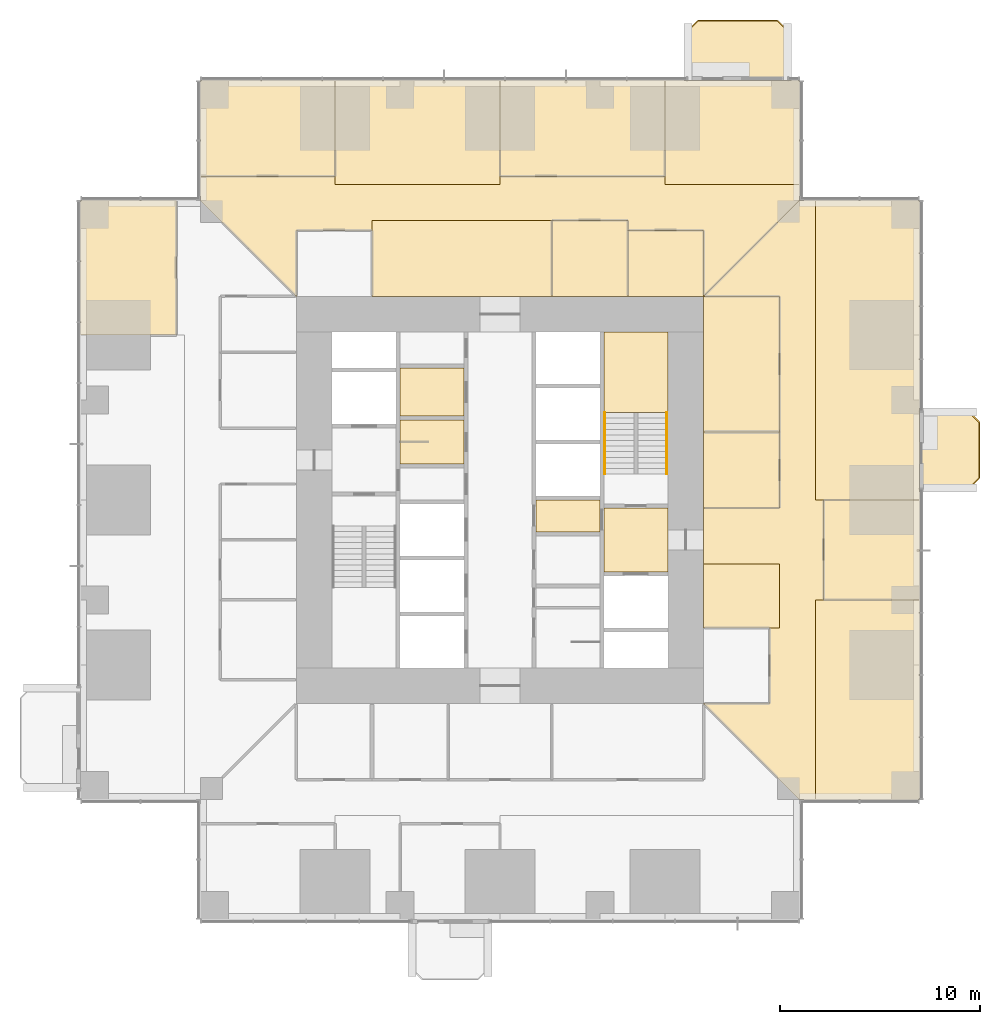
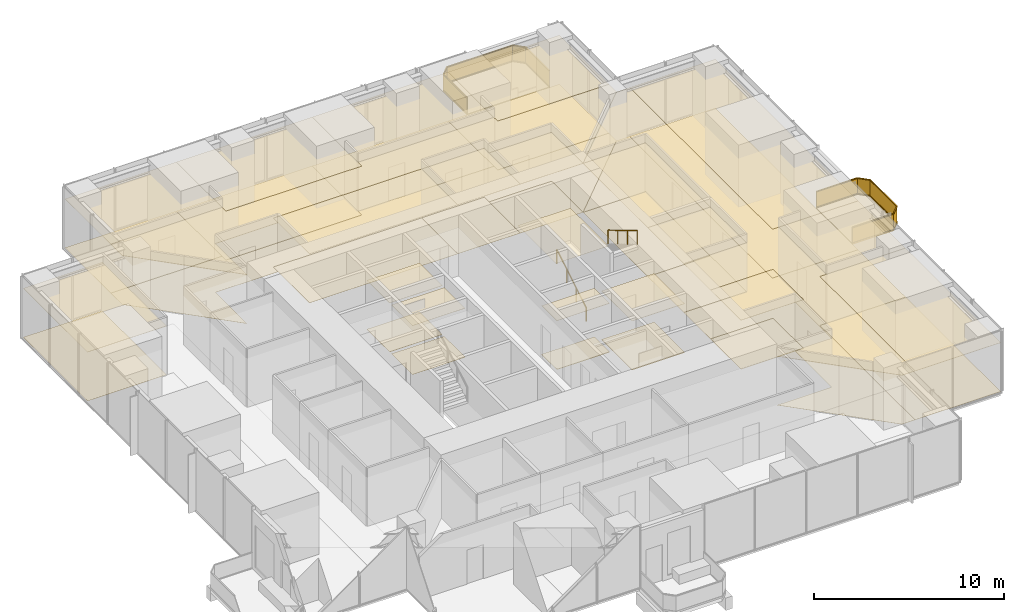
# One storey, part 16 of 17: 43 coverings, 4 railings.
"""IFC4 building model written with IfcOpenShell, lengths in metres."""

from ifc_helpers import new_model, si_unit, direction, frame, origin, origin_2d, place, context, subcontext, project, spatial, polyline, rectangle, circle, outline, extrude, material, layer, layer_set, type_object, element, save


model = new_model("IFC4")

# Units and contexts
model_context = context("Model", 3, precision=1e-05, world=origin(), true_north=direction((0.0, 1.0)))
body_context = subcontext(model_context, "Body", "Model", "MODEL_VIEW")
ifc_project = project(units=[si_unit("LENGTHUNIT", "METRE"), si_unit("AREAUNIT", "SQUARE_METRE"), si_unit("VOLUMEUNIT", "CUBIC_METRE"), si_unit("PLANEANGLEUNIT", "RADIAN"), si_unit("MASSUNIT", "GRAM", prefix="KILO")], contexts=[model_context])

# Site, building, storey
site_placement = place(None, origin())
site = spatial("IfcSite", under=ifc_project, at=site_placement, CompositionType="ELEMENT")
building_placement = place(site_placement, origin())
building = spatial("IfcBuilding", under=site, at=building_placement, Name="Svetlomir Tower", CompositionType="ELEMENT")
storey_placement = place(building_placement, frame((0.0, 0.0, 70.5)))
storey = spatial("IfcBuildingStorey", under=building, at=storey_placement, Name="L16", CompositionType="ELEMENT", Elevation=70.5)

# Railings
ifc_material_1 = material(Name="Bronze anodised aluminium and laminated glass", Category="aluminium")
railing_type_1 = type_object("IfcRailingType", Name="BALCONY GUARD GR1 1100", PredefinedType="GUARDRAIL", material=ifc_material_1)
railing_1_placement = place(storey_placement, frame((42.0, 21.60009765625, 0.0)))
element("IfcRailing", 1, at=railing_1_placement, inside=storey, type_object=railing_type_1, Name="Balcony guard E L16", PredefinedType="GUARDRAIL", context=body_context, shape_type="SweptSolid", body=[
    extrude(rectangle(XDim=0.06005859375, YDim=0.10009765625, at=origin_2d()), frame((0.0, 0.0, 0.050048828125), z_axis=(1.0, 0.0, 0.0), x_axis=(0.0, 1.0, 0.0)), (0.0, 0.0, 1.0), 2.5),
    extrude(rectangle(XDim=0.021484375, YDim=0.960205078125, at=origin_2d()), frame((0.0, 0.0, 0.580078125), z_axis=(1.0, 0.0, 0.0), x_axis=(0.0, 1.0, 0.0)), (0.0, 0.0, 1.0), 2.5),
    extrude(rectangle(XDim=0.06005859375, YDim=0.0400390625, at=origin_2d()), frame((0.0, 0.0, 1.080078125), z_axis=(1.0, 0.0, 0.0), x_axis=(0.0, 1.0, 0.0)), (0.0, 0.0, 1.0), 2.5),
    extrude(rectangle(XDim=0.06005859375, YDim=0.10009765625, at=origin_2d()), frame((2.5, 0.0, 0.050048828125), z_axis=(0.707106781187, 0.707106781187, 0.0), x_axis=(-0.707106781187, 0.707106781187, 0.0)), (0.0, 0.0, 1.0), 0.70703125),
    extrude(rectangle(XDim=0.021484375, YDim=0.960205078125, at=origin_2d()), frame((2.5, 0.0, 0.580078125), z_axis=(0.707106781187, 0.707106781187, 0.0), x_axis=(-0.707106781187, 0.707106781187, 0.0)), (0.0, 0.0, 1.0), 0.70703125),
    extrude(rectangle(XDim=0.06005859375, YDim=0.0400390625, at=origin_2d()), frame((2.5, 0.0, 1.080078125), z_axis=(0.707106781187, 0.707106781187, 0.0), x_axis=(-0.707106781187, 0.707106781187, 0.0)), (0.0, 0.0, 1.0), 0.70703125),
    extrude(rectangle(XDim=0.06005859375, YDim=0.10009765625, at=origin_2d()), frame((3.0, 0.5, 0.050048828125), z_axis=(0.0, 1.0, 0.0), x_axis=(-1.0, 0.0, 0.0)), (0.0, 0.0, 1.0), 2.7998046875),
    extrude(rectangle(XDim=0.021484375, YDim=0.960205078125, at=origin_2d()), frame((3.0, 0.5, 0.580078125), z_axis=(0.0, 1.0, 0.0), x_axis=(-1.0, 0.0, 0.0)), (0.0, 0.0, 1.0), 2.7998046875),
    extrude(rectangle(XDim=0.06005859375, YDim=0.0400390625, at=origin_2d()), frame((3.0, 0.5, 1.080078125), z_axis=(0.0, 1.0, 0.0), x_axis=(-1.0, 0.0, 0.0)), (0.0, 0.0, 1.0), 2.7998046875),
    extrude(rectangle(XDim=0.06005859375, YDim=0.10009765625, at=origin_2d()), frame((3.0, 3.2998046875, 0.050048828125), z_axis=(-0.707106781187, 0.707106781187, 0.0), x_axis=(-0.707106781187, -0.707106781187, 0.0)), (0.0, 0.0, 1.0), 0.70703125),
    extrude(rectangle(XDim=0.021484375, YDim=0.960205078125, at=origin_2d()), frame((3.0, 3.2998046875, 0.580078125), z_axis=(-0.707106781187, 0.707106781187, 0.0), x_axis=(-0.707106781187, -0.707106781187, 0.0)), (0.0, 0.0, 1.0), 0.70703125),
    extrude(rectangle(XDim=0.06005859375, YDim=0.0400390625, at=origin_2d()), frame((3.0, 3.2998046875, 1.080078125), z_axis=(-0.707106781187, 0.707106781187, 0.0), x_axis=(-0.707106781187, -0.707106781187, 0.0)), (0.0, 0.0, 1.0), 0.70703125),
    extrude(rectangle(XDim=0.06005859375, YDim=0.10009765625, at=origin_2d()), frame((2.5, 3.7998046875, 0.050048828125), z_axis=(-1.0, 0.0, 0.0), x_axis=(0.0, -1.0, 0.0)), (0.0, 0.0, 1.0), 2.5),
    extrude(rectangle(XDim=0.021484375, YDim=0.960205078125, at=origin_2d()), frame((2.5, 3.7998046875, 0.580078125), z_axis=(-1.0, 0.0, 0.0), x_axis=(0.0, -1.0, 0.0)), (0.0, 0.0, 1.0), 2.5),
    extrude(rectangle(XDim=0.06005859375, YDim=0.0400390625, at=origin_2d()), frame((2.5, 3.7998046875, 1.080078125), z_axis=(-1.0, 0.0, 0.0), x_axis=(0.0, -1.0, 0.0)), (0.0, 0.0, 1.0), 2.5),
])
railing_2_placement = place(storey_placement, frame((35.39990234375, 42.0, 0.0)))
element("IfcRailing", 2, at=railing_2_placement, inside=storey, type_object=railing_type_1, Name="Balcony guard N L16", PredefinedType="GUARDRAIL", context=body_context, shape_type="SweptSolid", body=[
    extrude(rectangle(XDim=0.06005859375, YDim=0.10009765625, at=origin_2d()), frame((0.0, 0.0, 0.050048828125), z_axis=(0.0, 1.0, 0.0), x_axis=(-1.0, 0.0, 0.0)), (0.0, 0.0, 1.0), 2.5),
    extrude(rectangle(XDim=0.021484375, YDim=0.960205078125, at=origin_2d()), frame((0.0, 0.0, 0.580078125), z_axis=(0.0, 1.0, 0.0), x_axis=(-1.0, 0.0, 0.0)), (0.0, 0.0, 1.0), 2.5),
    extrude(rectangle(XDim=0.06005859375, YDim=0.0400390625, at=origin_2d()), frame((0.0, 0.0, 1.080078125), z_axis=(0.0, 1.0, 0.0), x_axis=(-1.0, 0.0, 0.0)), (0.0, 0.0, 1.0), 2.5),
    extrude(rectangle(XDim=0.06005859375, YDim=0.10009765625, at=origin_2d()), frame((0.0, 2.5, 0.050048828125), z_axis=(-0.707106781187, 0.707106781187, 0.0), x_axis=(-0.707106781187, -0.707106781187, 0.0)), (0.0, 0.0, 1.0), 0.70703125),
    extrude(rectangle(XDim=0.021484375, YDim=0.960205078125, at=origin_2d()), frame((0.0, 2.5, 0.580078125), z_axis=(-0.707106781187, 0.707106781187, 0.0), x_axis=(-0.707106781187, -0.707106781187, 0.0)), (0.0, 0.0, 1.0), 0.70703125),
    extrude(rectangle(XDim=0.06005859375, YDim=0.0400390625, at=origin_2d()), frame((0.0, 2.5, 1.080078125), z_axis=(-0.707106781187, 0.707106781187, 0.0), x_axis=(-0.707106781187, -0.707106781187, 0.0)), (0.0, 0.0, 1.0), 0.70703125),
    extrude(rectangle(XDim=0.06005859375, YDim=0.10009765625, at=origin_2d()), frame((-0.5, 3.0, 0.050048828125), z_axis=(-1.0, 0.0, 0.0), x_axis=(0.0, -1.0, 0.0)), (0.0, 0.0, 1.0), 4.0),
    extrude(rectangle(XDim=0.021484375, YDim=0.960205078125, at=origin_2d()), frame((-0.5, 3.0, 0.580078125), z_axis=(-1.0, 0.0, 0.0), x_axis=(0.0, -1.0, 0.0)), (0.0, 0.0, 1.0), 4.0),
    extrude(rectangle(XDim=0.06005859375, YDim=0.0400390625, at=origin_2d()), frame((-0.5, 3.0, 1.080078125), z_axis=(-1.0, 0.0, 0.0), x_axis=(0.0, -1.0, 0.0)), (0.0, 0.0, 1.0), 4.0),
    extrude(rectangle(XDim=0.06005859375, YDim=0.10009765625, at=origin_2d()), frame((-4.5, 3.0, 0.050048828125), z_axis=(-0.707106781187, -0.707106781187, 0.0), x_axis=(0.707106781187, -0.707106781187, 0.0)), (0.0, 0.0, 1.0), 0.70703125),
    extrude(rectangle(XDim=0.021484375, YDim=0.960205078125, at=origin_2d()), frame((-4.5, 3.0, 0.580078125), z_axis=(-0.707106781187, -0.707106781187, 0.0), x_axis=(0.707106781187, -0.707106781187, 0.0)), (0.0, 0.0, 1.0), 0.70703125),
    extrude(rectangle(XDim=0.06005859375, YDim=0.0400390625, at=origin_2d()), frame((-4.5, 3.0, 1.080078125), z_axis=(-0.707106781187, -0.707106781187, 0.0), x_axis=(0.707106781187, -0.707106781187, 0.0)), (0.0, 0.0, 1.0), 0.70703125),
    extrude(rectangle(XDim=0.06005859375, YDim=0.10009765625, at=origin_2d()), frame((-5.0, 2.5, 0.050048828125), z_axis=(0.0, -1.0, 0.0), x_axis=(1.0, 0.0, 0.0)), (0.0, 0.0, 1.0), 2.5),
    extrude(rectangle(XDim=0.021484375, YDim=0.960205078125, at=origin_2d()), frame((-5.0, 2.5, 0.580078125), z_axis=(0.0, -1.0, 0.0), x_axis=(1.0, 0.0, 0.0)), (0.0, 0.0, 1.0), 2.5),
    extrude(rectangle(XDim=0.06005859375, YDim=0.0400390625, at=origin_2d()), frame((-5.0, 2.5, 1.080078125), z_axis=(0.0, -1.0, 0.0), x_axis=(1.0, 0.0, 0.0)), (0.0, 0.0, 1.0), 2.5),
])

# Coverings
ifc_material_2 = material(Name="Granite paving slabs on pedestals", Category="masonry")
ifc_layer_1 = layer(ifc_material_2, 0.0400390625)
ifc_layer_set_1 = layer_set([ifc_layer_1], Name="Granite paving slabs on pedestals")
covering_type_1 = type_object("IfcCoveringType", Name="BALCONY PAVING 40", PredefinedType="USERDEFINED", material=ifc_layer_set_1)
covering_1_placement = place(storey_placement, origin())
element("IfcCovering", 3, at=covering_1_placement, inside=storey, type_object=covering_type_1, Name="Balcony paving E L16", ObjectType="BALCONY PAVING", PredefinedType="USERDEFINED", context=body_context, shape_type="SweptSolid", body=[
    extrude(outline(polyline([(42.0, 21.60009765625), (44.5, 21.60009765625), (45.0, 22.10009765625), (45.0, 24.89990234375), (44.5, 25.39990234375), (42.0, 25.39990234375), (42.0, 21.60009765625)])), origin(), (0.0, 0.0, 1.0), 0.0400390625),
])
covering_2_placement = place(storey_placement, origin())
element("IfcCovering", 4, at=covering_2_placement, inside=storey, type_object=covering_type_1, Name="Balcony paving N L16", ObjectType="BALCONY PAVING", PredefinedType="USERDEFINED", context=body_context, shape_type="SweptSolid", body=[
    extrude(outline(polyline([(30.39990234375, 42.0), (35.39990234375, 42.0), (35.39990234375, 44.5), (34.89990234375, 45.0), (30.89990234375, 45.0), (30.39990234375, 44.5), (30.39990234375, 42.0)])), origin(), (0.0, 0.0, 1.0), 0.0400390625),
])
ifc_material_3 = material(Name="Carpet tile", Category="textile")
ifc_layer_2 = layer(ifc_material_3, 0.010009765625)
ifc_layer_set_2 = layer_set([ifc_layer_2], Name="Carpet tile")
covering_type_2 = type_object("IfcCoveringType", Name="CARPET TILE FLOOR 10", PredefinedType="FLOORING", material=ifc_layer_set_2)
covering_3_placement = place(storey_placement, origin())
element("IfcCovering", 5, at=covering_3_placement, inside=storey, type_object=covering_type_2, Name="Floor finish L16-20", PredefinedType="FLOORING", context=body_context, shape_type="SweptSolid", body=[
    extrude(outline(polyline([(31.199951171875, 20.60009765625), (35.0, 20.60009765625), (35.0, 24.39990234375), (31.199951171875, 24.39990234375), (31.199951171875, 20.60009765625)])), origin(), (0.0, 0.0, 1.0), 0.010009765625),
])
covering_4_placement = place(storey_placement, origin())
element("IfcCovering", 6, at=covering_4_placement, inside=storey, type_object=covering_type_2, Name="Floor finish L16-21", PredefinedType="FLOORING", context=body_context, shape_type="SweptSolid", body=[
    extrude(outline(polyline([(31.199951171875, 24.39990234375), (35.0, 24.39990234375), (35.0, 31.199951171875), (31.199951171875, 31.199951171875), (31.199951171875, 24.39990234375)])), origin(), (0.0, 0.0, 1.0), 0.010009765625),
])
covering_5_placement = place(storey_placement, origin())
element("IfcCovering", 7, at=covering_5_placement, inside=storey, type_object=covering_type_2, Name="Floor finish L16-22", PredefinedType="FLOORING", context=body_context, shape_type="SweptSolid", body=[
    extrude(outline(polyline([(37.199951171875, 16.0), (42.0, 16.0), (42.0, 21.0), (37.199951171875, 21.0), (37.199951171875, 16.0)])), origin(), (0.0, 0.0, 1.0), 0.010009765625),
])
covering_6_placement = place(storey_placement, origin())
element("IfcCovering", 8, at=covering_6_placement, inside=storey, type_object=covering_type_2, Name="Floor finish L16-24", PredefinedType="FLOORING", context=body_context, shape_type="SweptSolid", body=[
    extrude(outline(polyline([(23.60009765625, 31.199951171875), (27.39990234375, 31.199951171875), (27.39990234375, 35.0), (23.60009765625, 35.0), (23.60009765625, 31.199951171875)])), origin(), (0.0, 0.0, 1.0), 0.010009765625),
])
covering_7_placement = place(storey_placement, origin())
element("IfcCovering", 9, at=covering_7_placement, inside=storey, type_object=covering_type_2, Name="Floor finish L16-25", PredefinedType="FLOORING", context=body_context, shape_type="SweptSolid", body=[
    extrude(outline(polyline([(27.39990234375, 31.199951171875), (31.199951171875, 31.199951171875), (31.199951171875, 34.5), (27.39990234375, 34.5), (27.39990234375, 31.199951171875)])), origin(), (0.0, 0.0, 1.0), 0.010009765625),
])
covering_8_placement = place(storey_placement, origin())
element("IfcCovering", 10, at=covering_8_placement, inside=storey, type_object=covering_type_2, Name="Floor finish L16-26", PredefinedType="FLOORING", context=body_context, shape_type="SweptSolid", body=[
    extrude(outline(polyline([(6.0, 37.199951171875), (12.75, 37.199951171875), (12.75, 42.0), (6.0, 42.0), (6.0, 37.199951171875)])), origin(), (0.0, 0.0, 1.0), 0.010009765625),
])
covering_9_placement = place(storey_placement, origin())
element("IfcCovering", 11, at=covering_9_placement, inside=storey, type_object=covering_type_2, Name="Floor finish L16-27", PredefinedType="FLOORING", context=body_context, shape_type="SweptSolid", body=[
    extrude(outline(polyline([(21.0, 37.199951171875), (29.25, 37.199951171875), (29.25, 42.0), (21.0, 42.0), (21.0, 37.199951171875)])), origin(), (0.0, 0.0, 1.0), 0.010009765625),
])
covering_10_placement = place(storey_placement, origin())
element("IfcCovering", 12, at=covering_10_placement, inside=storey, type_object=covering_type_2, Name="Floor finish L16-31", PredefinedType="FLOORING", context=body_context, shape_type="SweptSolid", body=[
    extrude(outline(polyline([(0.0, 29.25), (4.800048828125, 29.25), (4.800048828125, 36.0), (0.0, 36.0), (0.0, 29.25)])), origin(), (0.0, 0.0, 1.0), 0.010009765625),
])
covering_11_placement = place(storey_placement, origin())
element("IfcCovering", 13, at=covering_11_placement, inside=storey, type_object=covering_type_2, Name="Floor finish L16-33", PredefinedType="FLOORING", context=body_context, shape_type="SweptSolid", body=[
    extrude(outline(polyline([(31.199951171875, 20.60009765625), (35.0, 20.60009765625), (35.0, 31.199951171875), (31.199951171875, 31.199951171875), (36.0, 36.0), (36.800048828125, 36.0), (36.800048828125, 21.0), (37.199951171875, 21.0), (37.199951171875, 16.0), (36.800048828125, 16.0), (36.800048828125, 6.0), (36.0, 6.0), (31.199951171875, 10.800048828125), (34.5, 10.800048828125), (34.5, 14.60009765625), (35.0, 14.60009765625), (35.0, 17.800048828125), (31.199951171875, 17.800048828125), (31.199951171875, 20.60009765625)])), origin(), (0.0, 0.0, 1.0), 0.010009765625),
])
covering_12_placement = place(storey_placement, origin())
element("IfcCovering", 14, at=covering_12_placement, inside=storey, type_object=covering_type_2, Name="Floor finish L16-34", PredefinedType="FLOORING", context=body_context, shape_type="SweptSolid", body=[
    extrude(outline(polyline([(6.0, 37.199951171875), (12.75, 37.199951171875), (12.75, 36.800048828125), (21.0, 36.800048828125), (21.0, 37.199951171875), (29.25, 37.199951171875), (29.25, 36.800048828125), (36.0, 36.800048828125), (36.0, 36.0), (31.199951171875, 31.199951171875), (31.199951171875, 34.5), (27.39990234375, 34.5), (27.39990234375, 35.0), (14.60009765625, 35.0), (14.60009765625, 34.5), (10.800048828125, 34.5), (10.800048828125, 31.199951171875), (6.0, 36.0), (6.0, 37.199951171875)])), origin(), (0.0, 0.0, 1.0), 0.010009765625),
])
covering_13_placement = place(storey_placement, origin())
element("IfcCovering", 15, at=covering_13_placement, inside=storey, type_object=covering_type_2, Name="Floor finish L16-39", PredefinedType="FLOORING", context=body_context, shape_type="SweptSolid", body=[
    extrude(outline(polyline([(42.0, 21.0), (36.800048828125, 21.0), (36.800048828125, 36.0), (42.0, 36.0), (42.0, 21.0)])), origin(), (0.0, 0.0, 1.0), 0.010009765625),
])
covering_14_placement = place(storey_placement, origin())
element("IfcCovering", 16, at=covering_14_placement, inside=storey, type_object=covering_type_2, Name="Floor finish L16-40", PredefinedType="FLOORING", context=body_context, shape_type="SweptSolid", body=[
    extrude(outline(polyline([(42.0, 6.0), (36.800048828125, 6.0), (36.800048828125, 16.0), (42.0, 16.0), (42.0, 6.0)])), origin(), (0.0, 0.0, 1.0), 0.010009765625),
])
covering_15_placement = place(storey_placement, origin())
element("IfcCovering", 17, at=covering_15_placement, inside=storey, type_object=covering_type_2, Name="Floor finish L16-41", PredefinedType="FLOORING", context=body_context, shape_type="SweptSolid", body=[
    extrude(outline(polyline([(31.199951171875, 14.60009765625), (31.199951171875, 17.800048828125), (35.0, 17.800048828125), (35.0, 14.60009765625), (31.199951171875, 14.60009765625)])), origin(), (0.0, 0.0, 1.0), 0.010009765625),
])
covering_16_placement = place(storey_placement, origin())
element("IfcCovering", 18, at=covering_16_placement, inside=storey, type_object=covering_type_2, Name="Floor finish L16-42", PredefinedType="FLOORING", context=body_context, shape_type="SweptSolid", body=[
    extrude(outline(polyline([(21.0, 42.0), (21.0, 36.800048828125), (12.75, 36.800048828125), (12.75, 42.0), (21.0, 42.0)])), origin(), (0.0, 0.0, 1.0), 0.010009765625),
])
covering_17_placement = place(storey_placement, origin())
element("IfcCovering", 19, at=covering_17_placement, inside=storey, type_object=covering_type_2, Name="Floor finish L16-43", PredefinedType="FLOORING", context=body_context, shape_type="SweptSolid", body=[
    extrude(outline(polyline([(36.0, 42.0), (36.0, 36.800048828125), (29.25, 36.800048828125), (29.25, 42.0), (36.0, 42.0)])), origin(), (0.0, 0.0, 1.0), 0.010009765625),
])
covering_18_placement = place(storey_placement, origin())
element("IfcCovering", 20, at=covering_18_placement, inside=storey, type_object=covering_type_2, Name="Floor finish L16-44", PredefinedType="FLOORING", context=body_context, shape_type="SweptSolid", body=[
    extrude(outline(polyline([(14.60009765625, 31.199951171875), (14.60009765625, 35.0), (23.60009765625, 35.0), (23.60009765625, 31.199951171875), (14.60009765625, 31.199951171875)])), origin(), (0.0, 0.0, 1.0), 0.010009765625),
])
ifc_material_4 = material(Name="Ceramic floor tile", Category="ceramic")
ifc_layer_3 = layer(ifc_material_4, 0.014892578125)
ifc_layer_set_3 = layer_set([ifc_layer_3], Name="Ceramic floor tile")
covering_type_3 = type_object("IfcCoveringType", Name="CERAMIC TILE FLOOR 15", PredefinedType="FLOORING", material=ifc_layer_set_3)
covering_19_placement = place(storey_placement, origin())
element("IfcCovering", 21, at=covering_19_placement, inside=storey, type_object=covering_type_3, Name="Floor finish L16-04", PredefinedType="FLOORING", context=body_context, shape_type="SweptSolid", body=[
    extrude(outline(polyline([(16.0, 22.800048828125), (19.199951171875, 22.800048828125), (19.199951171875, 25.0), (16.0, 25.0), (16.0, 22.800048828125)])), origin(), (0.0, 0.0, 1.0), 0.014892578125),
])
covering_20_placement = place(storey_placement, origin())
element("IfcCovering", 22, at=covering_20_placement, inside=storey, type_object=covering_type_3, Name="Floor finish L16-05", PredefinedType="FLOORING", context=body_context, shape_type="SweptSolid", body=[
    extrude(outline(polyline([(16.0, 25.199951171875), (19.199951171875, 25.199951171875), (19.199951171875, 27.60009765625), (16.0, 27.60009765625), (16.0, 25.199951171875)])), origin(), (0.0, 0.0, 1.0), 0.014892578125),
])

# Railings
ifc_material_5 = material(Name="Stainless steel", Category="steel")
railing_type_2 = type_object("IfcRailingType", Name="HANDRAIL HR1 900", PredefinedType="HANDRAIL", material=ifc_material_5)
railing_3_placement = place(storey_placement, frame((26.25, 22.300048828125, 0.166748046875)))
element("IfcRailing", 23, at=railing_3_placement, inside=storey, type_object=railing_type_2, Name="Handrail S2 flight 1 L16", PredefinedType="HANDRAIL", context=body_context, shape_type="SweptSolid", body=[
    extrude(circle(Radius=0.02392578125, at=origin_2d()), frame((0.0, 0.0, 0.8759765625), z_axis=(0.0, 0.859290745958, 0.51148745235), x_axis=(-1.0, 0.0, 0.0)), (0.0, 0.0, 1.0), 3.584228515625),
    extrude(circle(Radius=0.02099609375, at=origin_2d()), origin(), (0.0, 0.0, 1.0), 0.851806640625),
    extrude(circle(Radius=0.02099609375, at=origin_2d()), frame((0.0, 1.026611328125, 0.611083984375)), (0.0, 0.0, 1.0), 0.851806640625),
    extrude(circle(Radius=0.02099609375, at=origin_2d()), frame((0.0, 2.05322265625, 1.22216796875)), (0.0, 0.0, 1.0), 0.851806640625),
    extrude(circle(Radius=0.02099609375, at=origin_2d()), frame((0.0, 3.079833984375, 1.833251953125)), (0.0, 0.0, 1.0), 0.851806640625),
])
railing_4_placement = place(storey_placement, frame((29.35009765625, 25.3798828125, 2.166748046875)))
element("IfcRailing", 24, at=railing_4_placement, inside=storey, type_object=railing_type_2, Name="Handrail S2 flight 2 L16", PredefinedType="HANDRAIL", context=body_context, shape_type="SweptSolid", body=[
    extrude(circle(Radius=0.02392578125, at=origin_2d()), frame((0.0, 0.0, 0.8759765625), z_axis=(0.0, -0.859290745958, 0.51148745235), x_axis=(1.0, 0.0, 0.0)), (0.0, 0.0, 1.0), 3.584228515625),
    extrude(circle(Radius=0.02099609375, at=origin_2d()), origin(), (0.0, 0.0, 1.0), 0.851806640625),
    extrude(circle(Radius=0.02099609375, at=origin_2d()), frame((0.0, -1.026611328125, 0.611083984375)), (0.0, 0.0, 1.0), 0.851806640625),
    extrude(circle(Radius=0.02099609375, at=origin_2d()), frame((0.0, -2.05322265625, 1.22216796875)), (0.0, 0.0, 1.0), 0.851806640625),
    extrude(circle(Radius=0.02099609375, at=origin_2d()), frame((0.0, -3.079833984375, 1.833251953125)), (0.0, 0.0, 1.0), 0.851806640625),
])

# Coverings
ifc_material_6 = material(Name="Moisture resistant plasterboard ceiling", Category="gypsum")
ifc_layer_4 = layer(ifc_material_6, 0.012451171875)
ifc_layer_set_4 = layer_set([ifc_layer_4], Name="Moisture resistant plasterboard ceiling")
covering_type_4 = type_object("IfcCoveringType", Name="MOISTURE RESISTANT CEILING 12.5", PredefinedType="CEILING", material=ifc_layer_set_4)
covering_21_placement = place(storey_placement, frame((0.0, 0.0, 3.137451171875)))
element("IfcCovering", 25, at=covering_21_placement, inside=storey, type_object=covering_type_4, Name="Ceiling L16-04", PredefinedType="CEILING", context=body_context, shape_type="SweptSolid", body=[
    extrude(outline(polyline([(16.0, 22.800048828125), (19.199951171875, 22.800048828125), (19.199951171875, 25.0), (16.0, 25.0), (16.0, 22.800048828125)])), origin(), (0.0, 0.0, 1.0), 0.012451171875),
])
covering_22_placement = place(storey_placement, frame((0.0, 0.0, 3.137451171875)))
element("IfcCovering", 26, at=covering_22_placement, inside=storey, type_object=covering_type_4, Name="Ceiling L16-05", PredefinedType="CEILING", context=body_context, shape_type="SweptSolid", body=[
    extrude(outline(polyline([(16.0, 25.199951171875), (19.199951171875, 25.199951171875), (19.199951171875, 27.60009765625), (16.0, 27.60009765625), (16.0, 25.199951171875)])), origin(), (0.0, 0.0, 1.0), 0.012451171875),
])
ifc_material_7 = material(Name="Gypsum plasterboard ceiling", Category="gypsum")
ifc_layer_5 = layer(ifc_material_7, 0.014892578125)
ifc_layer_set_5 = layer_set([ifc_layer_5], Name="Gypsum plasterboard ceiling")
covering_type_5 = type_object("IfcCoveringType", Name="PLASTERBOARD CEILING 15", PredefinedType="CEILING", material=ifc_layer_set_5)
covering_23_placement = place(storey_placement, frame((0.0, 0.0, 3.135009765625)))
element("IfcCovering", 27, at=covering_23_placement, inside=storey, type_object=covering_type_5, Name="Ceiling L16-11", PredefinedType="CEILING", context=body_context, shape_type="SweptSolid", body=[
    extrude(outline(polyline([(22.800048828125, 19.39990234375), (26.0, 19.39990234375), (26.0, 21.0), (22.800048828125, 21.0), (22.800048828125, 19.39990234375)])), origin(), (0.0, 0.0, 1.0), 0.014892578125),
])
covering_24_placement = place(storey_placement, frame((0.0, 0.0, 3.135009765625)))
element("IfcCovering", 28, at=covering_24_placement, inside=storey, type_object=covering_type_5, Name="Ceiling L16-12", PredefinedType="CEILING", context=body_context, shape_type="SweptSolid", body=[
    extrude(outline(polyline([(26.199951171875, 17.39990234375), (29.39990234375, 17.39990234375), (29.39990234375, 20.60009765625), (26.199951171875, 20.60009765625), (26.199951171875, 17.39990234375)])), origin(), (0.0, 0.0, 1.0), 0.014892578125),
])
ifc_material_8 = material(Name="Studded rubber floor finish", Category="rubber")
ifc_layer_6 = layer(ifc_material_8, 0.006103515625)
ifc_layer_set_6 = layer_set([ifc_layer_6], Name="Studded rubber floor finish")
covering_type_6 = type_object("IfcCoveringType", Name="RUBBER LANDING FINISH 6", PredefinedType="FLOORING", material=ifc_layer_set_6)
covering_25_placement = place(storey_placement, frame((0.0, 0.0, 2.0)))
element("IfcCovering", 29, at=covering_25_placement, inside=storey, type_object=covering_type_6, Name="Stair S2 landing finish L16", PredefinedType="FLOORING", context=body_context, shape_type="SweptSolid", body=[
    extrude(outline(polyline([(26.199951171875, 25.3798828125), (29.39990234375, 25.3798828125), (29.39990234375, 29.39990234375), (26.199951171875, 29.39990234375), (26.199951171875, 25.3798828125)])), origin(), (0.0, 0.0, 1.0), 0.006103515625),
])
ifc_material_9 = material(Name="Mineral fibre ceiling tile", Category="mineral")
ifc_layer_7 = layer(ifc_material_9, 0.02001953125)
ifc_layer_set_7 = layer_set([ifc_layer_7], Name="Mineral fibre ceiling tile")
covering_type_7 = type_object("IfcCoveringType", Name="SUSPENDED CEILING 20", PredefinedType="CEILING", material=ifc_layer_set_7)
covering_26_placement = place(storey_placement, frame((0.0, 0.0, 3.1298828125)))
element("IfcCovering", 30, at=covering_26_placement, inside=storey, type_object=covering_type_7, Name="Ceiling L16-20", PredefinedType="CEILING", context=body_context, shape_type="SweptSolid", body=[
    extrude(outline(polyline([(31.199951171875, 20.60009765625), (35.0, 20.60009765625), (35.0, 24.39990234375), (31.199951171875, 24.39990234375), (31.199951171875, 20.60009765625)])), origin(), (0.0, 0.0, 1.0), 0.02001953125),
])
covering_27_placement = place(storey_placement, frame((0.0, 0.0, 3.1298828125)))
element("IfcCovering", 31, at=covering_27_placement, inside=storey, type_object=covering_type_7, Name="Ceiling L16-21", PredefinedType="CEILING", context=body_context, shape_type="SweptSolid", body=[
    extrude(outline(polyline([(31.199951171875, 24.39990234375), (35.0, 24.39990234375), (35.0, 31.199951171875), (31.199951171875, 31.199951171875), (31.199951171875, 24.39990234375)])), origin(), (0.0, 0.0, 1.0), 0.02001953125),
])
covering_28_placement = place(storey_placement, frame((0.0, 0.0, 3.1298828125)))
element("IfcCovering", 32, at=covering_28_placement, inside=storey, type_object=covering_type_7, Name="Ceiling L16-22", PredefinedType="CEILING", context=body_context, shape_type="SweptSolid", body=[
    extrude(outline(polyline([(37.199951171875, 16.0), (42.0, 16.0), (42.0, 21.0), (37.199951171875, 21.0), (37.199951171875, 16.0)])), origin(), (0.0, 0.0, 1.0), 0.02001953125),
])
covering_29_placement = place(storey_placement, frame((0.0, 0.0, 3.1298828125)))
element("IfcCovering", 33, at=covering_29_placement, inside=storey, type_object=covering_type_7, Name="Ceiling L16-24", PredefinedType="CEILING", context=body_context, shape_type="SweptSolid", body=[
    extrude(outline(polyline([(23.60009765625, 31.199951171875), (27.39990234375, 31.199951171875), (27.39990234375, 35.0), (23.60009765625, 35.0), (23.60009765625, 31.199951171875)])), origin(), (0.0, 0.0, 1.0), 0.02001953125),
])
covering_30_placement = place(storey_placement, frame((0.0, 0.0, 3.1298828125)))
element("IfcCovering", 34, at=covering_30_placement, inside=storey, type_object=covering_type_7, Name="Ceiling L16-25", PredefinedType="CEILING", context=body_context, shape_type="SweptSolid", body=[
    extrude(outline(polyline([(27.39990234375, 31.199951171875), (31.199951171875, 31.199951171875), (31.199951171875, 34.5), (27.39990234375, 34.5), (27.39990234375, 31.199951171875)])), origin(), (0.0, 0.0, 1.0), 0.02001953125),
])
covering_31_placement = place(storey_placement, frame((0.0, 0.0, 3.1298828125)))
element("IfcCovering", 35, at=covering_31_placement, inside=storey, type_object=covering_type_7, Name="Ceiling L16-26", PredefinedType="CEILING", context=body_context, shape_type="SweptSolid", body=[
    extrude(outline(polyline([(6.0, 37.199951171875), (12.75, 37.199951171875), (12.75, 42.0), (6.0, 42.0), (6.0, 37.199951171875)])), origin(), (0.0, 0.0, 1.0), 0.02001953125),
])
covering_32_placement = place(storey_placement, frame((0.0, 0.0, 3.1298828125)))
element("IfcCovering", 36, at=covering_32_placement, inside=storey, type_object=covering_type_7, Name="Ceiling L16-27", PredefinedType="CEILING", context=body_context, shape_type="SweptSolid", body=[
    extrude(outline(polyline([(21.0, 37.199951171875), (29.25, 37.199951171875), (29.25, 42.0), (21.0, 42.0), (21.0, 37.199951171875)])), origin(), (0.0, 0.0, 1.0), 0.02001953125),
])
covering_33_placement = place(storey_placement, frame((0.0, 0.0, 3.1298828125)))
element("IfcCovering", 37, at=covering_33_placement, inside=storey, type_object=covering_type_7, Name="Ceiling L16-31", PredefinedType="CEILING", context=body_context, shape_type="SweptSolid", body=[
    extrude(outline(polyline([(0.0, 29.25), (4.800048828125, 29.25), (4.800048828125, 36.0), (0.0, 36.0), (0.0, 29.25)])), origin(), (0.0, 0.0, 1.0), 0.02001953125),
])
covering_34_placement = place(storey_placement, frame((0.0, 0.0, 3.1298828125)))
element("IfcCovering", 38, at=covering_34_placement, inside=storey, type_object=covering_type_7, Name="Ceiling L16-33", PredefinedType="CEILING", context=body_context, shape_type="SweptSolid", body=[
    extrude(outline(polyline([(31.199951171875, 20.60009765625), (35.0, 20.60009765625), (35.0, 31.199951171875), (31.199951171875, 31.199951171875), (36.0, 36.0), (36.800048828125, 36.0), (36.800048828125, 21.0), (37.199951171875, 21.0), (37.199951171875, 16.0), (36.800048828125, 16.0), (36.800048828125, 6.0), (36.0, 6.0), (31.199951171875, 10.800048828125), (34.5, 10.800048828125), (34.5, 14.60009765625), (35.0, 14.60009765625), (35.0, 17.800048828125), (31.199951171875, 17.800048828125), (31.199951171875, 20.60009765625)])), origin(), (0.0, 0.0, 1.0), 0.02001953125),
])
covering_35_placement = place(storey_placement, frame((0.0, 0.0, 3.1298828125)))
element("IfcCovering", 39, at=covering_35_placement, inside=storey, type_object=covering_type_7, Name="Ceiling L16-34", PredefinedType="CEILING", context=body_context, shape_type="SweptSolid", body=[
    extrude(outline(polyline([(6.0, 37.199951171875), (12.75, 37.199951171875), (12.75, 36.800048828125), (21.0, 36.800048828125), (21.0, 37.199951171875), (29.25, 37.199951171875), (29.25, 36.800048828125), (36.0, 36.800048828125), (36.0, 36.0), (31.199951171875, 31.199951171875), (31.199951171875, 34.5), (27.39990234375, 34.5), (27.39990234375, 35.0), (14.60009765625, 35.0), (14.60009765625, 34.5), (10.800048828125, 34.5), (10.800048828125, 31.199951171875), (6.0, 36.0), (6.0, 37.199951171875)])), origin(), (0.0, 0.0, 1.0), 0.02001953125),
])
covering_36_placement = place(storey_placement, frame((0.0, 0.0, 3.1298828125)))
element("IfcCovering", 40, at=covering_36_placement, inside=storey, type_object=covering_type_7, Name="Ceiling L16-39", PredefinedType="CEILING", context=body_context, shape_type="SweptSolid", body=[
    extrude(outline(polyline([(42.0, 21.0), (36.800048828125, 21.0), (36.800048828125, 36.0), (42.0, 36.0), (42.0, 21.0)])), origin(), (0.0, 0.0, 1.0), 0.02001953125),
])
covering_37_placement = place(storey_placement, frame((0.0, 0.0, 3.1298828125)))
element("IfcCovering", 41, at=covering_37_placement, inside=storey, type_object=covering_type_7, Name="Ceiling L16-40", PredefinedType="CEILING", context=body_context, shape_type="SweptSolid", body=[
    extrude(outline(polyline([(42.0, 6.0), (36.800048828125, 6.0), (36.800048828125, 16.0), (42.0, 16.0), (42.0, 6.0)])), origin(), (0.0, 0.0, 1.0), 0.02001953125),
])
covering_38_placement = place(storey_placement, frame((0.0, 0.0, 3.1298828125)))
element("IfcCovering", 42, at=covering_38_placement, inside=storey, type_object=covering_type_7, Name="Ceiling L16-41", PredefinedType="CEILING", context=body_context, shape_type="SweptSolid", body=[
    extrude(outline(polyline([(31.199951171875, 14.60009765625), (31.199951171875, 17.800048828125), (35.0, 17.800048828125), (35.0, 14.60009765625), (31.199951171875, 14.60009765625)])), origin(), (0.0, 0.0, 1.0), 0.02001953125),
])
covering_39_placement = place(storey_placement, frame((0.0, 0.0, 3.1298828125)))
element("IfcCovering", 43, at=covering_39_placement, inside=storey, type_object=covering_type_7, Name="Ceiling L16-42", PredefinedType="CEILING", context=body_context, shape_type="SweptSolid", body=[
    extrude(outline(polyline([(21.0, 42.0), (21.0, 36.800048828125), (12.75, 36.800048828125), (12.75, 42.0), (21.0, 42.0)])), origin(), (0.0, 0.0, 1.0), 0.02001953125),
])
covering_40_placement = place(storey_placement, frame((0.0, 0.0, 3.1298828125)))
element("IfcCovering", 44, at=covering_40_placement, inside=storey, type_object=covering_type_7, Name="Ceiling L16-43", PredefinedType="CEILING", context=body_context, shape_type="SweptSolid", body=[
    extrude(outline(polyline([(36.0, 42.0), (36.0, 36.800048828125), (29.25, 36.800048828125), (29.25, 42.0), (36.0, 42.0)])), origin(), (0.0, 0.0, 1.0), 0.02001953125),
])
covering_41_placement = place(storey_placement, frame((0.0, 0.0, 3.1298828125)))
element("IfcCovering", 45, at=covering_41_placement, inside=storey, type_object=covering_type_7, Name="Ceiling L16-44", PredefinedType="CEILING", context=body_context, shape_type="SweptSolid", body=[
    extrude(outline(polyline([(14.60009765625, 31.199951171875), (14.60009765625, 35.0), (23.60009765625, 35.0), (23.60009765625, 31.199951171875), (14.60009765625, 31.199951171875)])), origin(), (0.0, 0.0, 1.0), 0.02001953125),
])
ifc_material_10 = material(Name="Bronze-aggregate terrazzo", Category="stone")
ifc_layer_8 = layer(ifc_material_10, 0.030029296875)
ifc_layer_set_8 = layer_set([ifc_layer_8], Name="Bronze-aggregate terrazzo")
covering_type_8 = type_object("IfcCoveringType", Name="TERRAZZO FLOOR 30", PredefinedType="FLOORING", material=ifc_layer_set_8)
covering_42_placement = place(storey_placement, origin())
element("IfcCovering", 46, at=covering_42_placement, inside=storey, type_object=covering_type_8, Name="Floor finish L16-11", PredefinedType="FLOORING", context=body_context, shape_type="SweptSolid", body=[
    extrude(outline(polyline([(22.800048828125, 19.39990234375), (26.0, 19.39990234375), (26.0, 21.0), (22.800048828125, 21.0), (22.800048828125, 19.39990234375)])), origin(), (0.0, 0.0, 1.0), 0.030029296875),
])
covering_43_placement = place(storey_placement, origin())
element("IfcCovering", 47, at=covering_43_placement, inside=storey, type_object=covering_type_8, Name="Floor finish L16-12", PredefinedType="FLOORING", context=body_context, shape_type="SweptSolid", body=[
    extrude(outline(polyline([(26.199951171875, 17.39990234375), (29.39990234375, 17.39990234375), (29.39990234375, 20.60009765625), (26.199951171875, 20.60009765625), (26.199951171875, 17.39990234375)])), origin(), (0.0, 0.0, 1.0), 0.030029296875),
])

save(model, "model.ifc")
